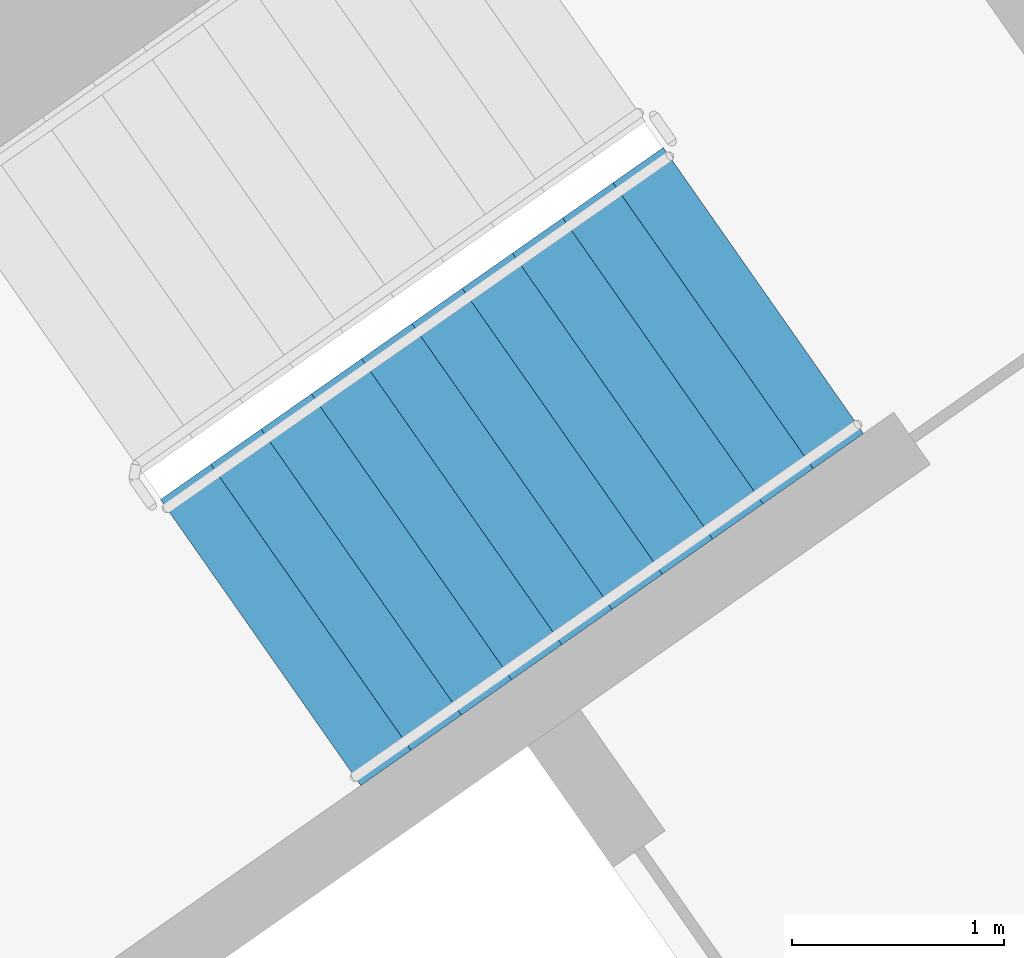
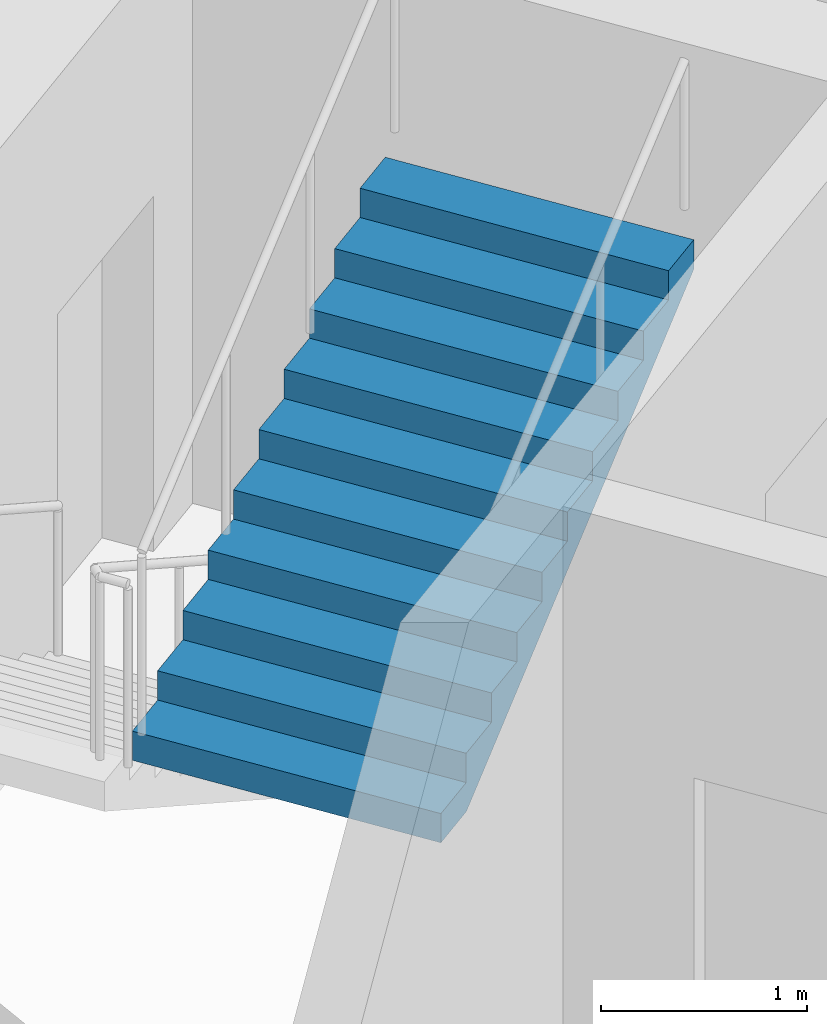
# One storey, part 15 of 28: 1 stair flight, 1 element without a shape of its own.
"""IFC4 building model written with IfcOpenShell, lengths in metres."""

from ifc_helpers import new_model, si_unit, direction, frame, origin, place, context, subcontext, project, spatial, faceted_brep, material, type_object, element, aggregate, save


model = new_model("IFC4")

# Units and contexts
model_context = context("Model", 3, precision=1e-05, world=origin(), true_north=direction((0.0, 1.0)))
body_context = subcontext(model_context, "Body", "Model", "MODEL_VIEW")
ifc_project = project(units=[si_unit("LENGTHUNIT", "METRE"), si_unit("AREAUNIT", "SQUARE_METRE"), si_unit("VOLUMEUNIT", "CUBIC_METRE"), si_unit("PLANEANGLEUNIT", "RADIAN"), si_unit("MASSUNIT", "GRAM", prefix="KILO")], contexts=[model_context])

# Site, building, storey
site_placement = place(None, origin())
site = spatial("IfcSite", under=ifc_project, at=site_placement, CompositionType="ELEMENT")
building_placement = place(site_placement, origin())
building = spatial("IfcBuilding", under=site, at=building_placement, Name="Qamariyya Broadcast Tower", CompositionType="ELEMENT")
storey_placement = place(building_placement, frame((0.0, 0.0, 226.5)))
storey = spatial("IfcBuildingStorey", under=building, at=storey_placement, Name="L54", CompositionType="ELEMENT", Elevation=226.5)

# Stair, stair flight
ifc_material = material(Name="Concrete C50/60", Category="concrete")
stair_type = type_object("IfcStairType", Name="Exit stair 22 risers of 173 mm", PredefinedType="HALF_TURN_STAIR", material=ifc_material)
stair_placement = place(storey_placement, origin())
stair = element("IfcStair", 1, at=stair_placement, inside=storey, type_object=stair_type, Name="L54 Stair E2", PredefinedType="HALF_TURN_STAIR")
stair_flight_type = type_object("IfcStairFlightType", Name="Exit stair flight 11 risers of 173 mm", PredefinedType="STRAIGHT", material=ifc_material)
stair_flight_placement = place(storey_placement, frame((39.215576171875, -50.822998046875, 1.89990234375), z_axis=(0.0, 0.0, 1.0), x_axis=(0.819152044289, 0.573576436351, 0.0)))
stair_flight = element("IfcStairFlight", 2, at=stair_flight_placement, type_object=stair_flight_type, Name="ST-E2 flight 2", NumberOfRisers=11, NumberOfTreads=10, PredefinedType="STRAIGHT", RiserHeight=0.172727273, TreadLength=0.29, context=body_context, shape_type="Brep", body=[
    faceted_brep([(0.0, 0.824951171875, 0.0), (0.0, 0.824951171875, 0.172607421875), (0.2900390625, 0.824951171875, 0.172607421875), (0.2900390625, 0.824951171875, 0.345458984375), (0.580078125, 0.824951171875, 0.345458984375), (0.580078125, 0.824951171875, 0.51806640625), (0.8701171875, 0.824951171875, 0.51806640625), (0.8701171875, 0.824951171875, 0.69091796875), (1.159912109375, 0.824951171875, 0.69091796875), (1.159912109375, 0.824951171875, 0.863525390625), (1.449951171875, 0.824951171875, 0.863525390625), (1.449951171875, 0.824951171875, 1.036376953125), (1.739990234375, 0.824951171875, 1.036376953125), (1.739990234375, 0.824951171875, 1.208984375), (2.030029296875, 0.824951171875, 1.208984375), (2.030029296875, 0.824951171875, 1.3818359375), (2.320068359375, 0.824951171875, 1.3818359375), (2.320068359375, 0.824951171875, 1.554443359375), (2.610107421875, 0.824951171875, 1.554443359375), (2.610107421875, 0.824951171875, 1.727294921875), (2.89990234375, 0.824951171875, 1.727294921875), (2.89990234375, 0.824951171875, 1.552734375), (0.29296875, 0.824951171875, 0.0), (0.29296875, -0.824951171875, 0.0), (2.89990234375, -0.824951171875, 1.552734375), (2.89990234375, -0.824951171875, 1.727294921875), (2.610107421875, -0.824951171875, 1.727294921875), (2.610107421875, -0.824951171875, 1.554443359375), (2.320068359375, -0.824951171875, 1.554443359375), (2.320068359375, -0.824951171875, 1.3818359375), (2.030029296875, -0.824951171875, 1.3818359375), (2.030029296875, -0.824951171875, 1.208984375), (1.739990234375, -0.824951171875, 1.208984375), (1.739990234375, -0.824951171875, 1.036376953125), (1.449951171875, -0.824951171875, 1.036376953125), (1.449951171875, -0.824951171875, 0.863525390625), (1.159912109375, -0.824951171875, 0.863525390625), (1.159912109375, -0.824951171875, 0.69091796875), (0.8701171875, -0.824951171875, 0.69091796875), (0.8701171875, -0.824951171875, 0.51806640625), (0.580078125, -0.824951171875, 0.51806640625), (0.580078125, -0.824951171875, 0.345458984375), (0.2900390625, -0.824951171875, 0.345458984375), (0.2900390625, -0.824951171875, 0.172607421875), (0.0, -0.824951171875, 0.172607421875), (0.0, -0.824951171875, 0.0), (0.0, 0.10009765625, 0.0), (0.0, 0.086669921875, 0.0), (0.0, 0.0732421875, 0.0), (0.0, 0.06005859375, 0.0), (0.0, 0.046630859375, 0.0), (0.0, 0.033447265625, 0.0), (0.0, 0.02001953125, 0.0), (0.0, 0.006591796875, 0.0), (0.0, -0.006591796875, 0.0), (0.0, -0.02001953125, 0.0), (0.0, -0.033447265625, 0.0), (0.0, -0.046630859375, 0.0), (0.0, -0.06005859375, 0.0), (0.0, -0.0732421875, 0.0), (0.0, -0.086669921875, 0.0), (0.0, -0.10009765625, 0.0), (0.0, -0.10009765625, 0.172607421875), (0.0, -0.086669921875, 0.172607421875), (0.0, -0.0732421875, 0.172607421875), (0.0, -0.06005859375, 0.172607421875), (0.0, -0.046630859375, 0.172607421875), (0.0, -0.033447265625, 0.172607421875), (0.0, -0.02001953125, 0.172607421875), (0.0, -0.006591796875, 0.172607421875), (0.0, 0.006591796875, 0.172607421875), (0.0, 0.02001953125, 0.172607421875), (0.0, 0.033447265625, 0.172607421875), (0.0, 0.046630859375, 0.172607421875), (0.0, 0.06005859375, 0.172607421875), (0.0, 0.0732421875, 0.172607421875), (0.0, 0.086669921875, 0.172607421875), (0.0, 0.10009765625, 0.172607421875), (0.2900390625, -0.10009765625, 0.172607421875), (0.2900390625, -0.086669921875, 0.172607421875), (0.2900390625, -0.0732421875, 0.172607421875), (0.2900390625, -0.06005859375, 0.172607421875), (0.2900390625, -0.046630859375, 0.172607421875), (0.2900390625, -0.033447265625, 0.172607421875), (0.2900390625, -0.02001953125, 0.172607421875), (0.2900390625, -0.006591796875, 0.172607421875), (0.2900390625, 0.006591796875, 0.172607421875), (0.2900390625, 0.02001953125, 0.172607421875), (0.2900390625, 0.033447265625, 0.172607421875), (0.2900390625, 0.046630859375, 0.172607421875), (0.2900390625, 0.06005859375, 0.172607421875), (0.2900390625, 0.0732421875, 0.172607421875), (0.2900390625, 0.086669921875, 0.172607421875), (0.2900390625, 0.10009765625, 0.172607421875), (0.2900390625, -0.10009765625, 0.345458984375), (0.2900390625, -0.086669921875, 0.345458984375), (0.2900390625, -0.0732421875, 0.345458984375), (0.2900390625, -0.06005859375, 0.345458984375), (0.2900390625, -0.046630859375, 0.345458984375), (0.2900390625, -0.033447265625, 0.345458984375), (0.2900390625, -0.02001953125, 0.345458984375), (0.2900390625, -0.006591796875, 0.345458984375), (0.2900390625, 0.006591796875, 0.345458984375), (0.2900390625, 0.02001953125, 0.345458984375), (0.2900390625, 0.033447265625, 0.345458984375), (0.2900390625, 0.046630859375, 0.345458984375), (0.2900390625, 0.06005859375, 0.345458984375), (0.2900390625, 0.0732421875, 0.345458984375), (0.2900390625, 0.086669921875, 0.345458984375), (0.2900390625, 0.10009765625, 0.345458984375), (0.580078125, -0.10009765625, 0.345458984375), (0.580078125, -0.086669921875, 0.345458984375), (0.580078125, -0.0732421875, 0.345458984375), (0.580078125, -0.06005859375, 0.345458984375), (0.580078125, -0.046630859375, 0.345458984375), (0.580078125, -0.033447265625, 0.345458984375), (0.580078125, -0.02001953125, 0.345458984375), (0.580078125, -0.006591796875, 0.345458984375), (0.580078125, 0.006591796875, 0.345458984375), (0.580078125, 0.02001953125, 0.345458984375), (0.580078125, 0.033447265625, 0.345458984375), (0.580078125, 0.046630859375, 0.345458984375), (0.580078125, 0.06005859375, 0.345458984375), (0.580078125, 0.0732421875, 0.345458984375), (0.580078125, 0.086669921875, 0.345458984375), (0.580078125, 0.10009765625, 0.345458984375), (0.580078125, -0.10009765625, 0.51806640625), (0.580078125, -0.086669921875, 0.51806640625), (0.580078125, -0.0732421875, 0.51806640625), (0.580078125, -0.06005859375, 0.51806640625), (0.580078125, -0.046630859375, 0.51806640625), (0.580078125, -0.033447265625, 0.51806640625), (0.580078125, -0.02001953125, 0.51806640625), (0.580078125, -0.006591796875, 0.51806640625), (0.580078125, 0.006591796875, 0.51806640625), (0.580078125, 0.02001953125, 0.51806640625), (0.580078125, 0.033447265625, 0.51806640625), (0.580078125, 0.046630859375, 0.51806640625), (0.580078125, 0.06005859375, 0.51806640625), (0.580078125, 0.0732421875, 0.51806640625), (0.580078125, 0.086669921875, 0.51806640625), (0.580078125, 0.10009765625, 0.51806640625), (0.8701171875, -0.10009765625, 0.51806640625), (0.8701171875, -0.086669921875, 0.51806640625), (0.8701171875, -0.0732421875, 0.51806640625), (0.8701171875, -0.06005859375, 0.51806640625), (0.8701171875, -0.046630859375, 0.51806640625), (0.8701171875, -0.033447265625, 0.51806640625), (0.8701171875, -0.02001953125, 0.51806640625), (0.8701171875, -0.006591796875, 0.51806640625), (0.8701171875, 0.006591796875, 0.51806640625), (0.8701171875, 0.02001953125, 0.51806640625), (0.8701171875, 0.033447265625, 0.51806640625), (0.8701171875, 0.046630859375, 0.51806640625), (0.8701171875, 0.06005859375, 0.51806640625), (0.8701171875, 0.0732421875, 0.51806640625), (0.8701171875, 0.086669921875, 0.51806640625), (0.8701171875, 0.10009765625, 0.51806640625), (0.8701171875, -0.10009765625, 0.69091796875), (0.8701171875, -0.086669921875, 0.69091796875), (0.8701171875, -0.0732421875, 0.69091796875), (0.8701171875, -0.06005859375, 0.69091796875), (0.8701171875, -0.046630859375, 0.69091796875), (0.8701171875, -0.033447265625, 0.69091796875), (0.8701171875, -0.02001953125, 0.69091796875), (0.8701171875, -0.006591796875, 0.69091796875), (0.8701171875, 0.006591796875, 0.69091796875), (0.8701171875, 0.02001953125, 0.69091796875), (0.8701171875, 0.033447265625, 0.69091796875), (0.8701171875, 0.046630859375, 0.69091796875), (0.8701171875, 0.06005859375, 0.69091796875), (0.8701171875, 0.0732421875, 0.69091796875), (0.8701171875, 0.086669921875, 0.69091796875), (0.8701171875, 0.10009765625, 0.69091796875), (1.159912109375, -0.10009765625, 0.69091796875), (1.159912109375, -0.086669921875, 0.69091796875), (1.159912109375, -0.0732421875, 0.69091796875), (1.159912109375, -0.06005859375, 0.69091796875), (1.159912109375, -0.046630859375, 0.69091796875), (1.159912109375, -0.033447265625, 0.69091796875), (1.159912109375, -0.02001953125, 0.69091796875), (1.159912109375, -0.006591796875, 0.69091796875), (1.159912109375, 0.006591796875, 0.69091796875), (1.159912109375, 0.02001953125, 0.69091796875), (1.159912109375, 0.033447265625, 0.69091796875), (1.159912109375, 0.046630859375, 0.69091796875), (1.159912109375, 0.06005859375, 0.69091796875), (1.159912109375, 0.0732421875, 0.69091796875), (1.159912109375, 0.086669921875, 0.69091796875), (1.159912109375, 0.10009765625, 0.69091796875), (1.159912109375, -0.10009765625, 0.863525390625), (1.159912109375, -0.086669921875, 0.863525390625), (1.159912109375, -0.0732421875, 0.863525390625), (1.159912109375, -0.06005859375, 0.863525390625), (1.159912109375, -0.046630859375, 0.863525390625), (1.159912109375, -0.033447265625, 0.863525390625), (1.159912109375, -0.02001953125, 0.863525390625), (1.159912109375, -0.006591796875, 0.863525390625), (1.159912109375, 0.006591796875, 0.863525390625), (1.159912109375, 0.02001953125, 0.863525390625), (1.159912109375, 0.033447265625, 0.863525390625), (1.159912109375, 0.046630859375, 0.863525390625), (1.159912109375, 0.06005859375, 0.863525390625), (1.159912109375, 0.0732421875, 0.863525390625), (1.159912109375, 0.086669921875, 0.863525390625), (1.159912109375, 0.10009765625, 0.863525390625), (1.449951171875, -0.10009765625, 0.863525390625), (1.449951171875, -0.086669921875, 0.863525390625), (1.449951171875, -0.0732421875, 0.863525390625), (1.449951171875, -0.06005859375, 0.863525390625), (1.449951171875, -0.046630859375, 0.863525390625), (1.449951171875, -0.033447265625, 0.863525390625), (1.449951171875, -0.02001953125, 0.863525390625), (1.449951171875, -0.006591796875, 0.863525390625), (1.449951171875, 0.006591796875, 0.863525390625), (1.449951171875, 0.02001953125, 0.863525390625), (1.449951171875, 0.033447265625, 0.863525390625), (1.449951171875, 0.046630859375, 0.863525390625), (1.449951171875, 0.06005859375, 0.863525390625), (1.449951171875, 0.0732421875, 0.863525390625), (1.449951171875, 0.086669921875, 0.863525390625), (1.449951171875, 0.10009765625, 0.863525390625), (1.449951171875, -0.10009765625, 1.036376953125), (1.449951171875, -0.086669921875, 1.036376953125), (1.449951171875, -0.0732421875, 1.036376953125), (1.449951171875, -0.06005859375, 1.036376953125), (1.449951171875, -0.046630859375, 1.036376953125), (1.449951171875, -0.033447265625, 1.036376953125), (1.449951171875, -0.02001953125, 1.036376953125), (1.449951171875, -0.006591796875, 1.036376953125), (1.449951171875, 0.006591796875, 1.036376953125), (1.449951171875, 0.02001953125, 1.036376953125), (1.449951171875, 0.033447265625, 1.036376953125), (1.449951171875, 0.046630859375, 1.036376953125), (1.449951171875, 0.06005859375, 1.036376953125), (1.449951171875, 0.0732421875, 1.036376953125), (1.449951171875, 0.086669921875, 1.036376953125), (1.449951171875, 0.10009765625, 1.036376953125), (1.739990234375, -0.10009765625, 1.036376953125), (1.739990234375, -0.086669921875, 1.036376953125), (1.739990234375, -0.0732421875, 1.036376953125), (1.739990234375, -0.06005859375, 1.036376953125), (1.739990234375, -0.046630859375, 1.036376953125), (1.739990234375, -0.033447265625, 1.036376953125), (1.739990234375, -0.02001953125, 1.036376953125), (1.739990234375, -0.006591796875, 1.036376953125), (1.739990234375, 0.006591796875, 1.036376953125), (1.739990234375, 0.02001953125, 1.036376953125), (1.739990234375, 0.033447265625, 1.036376953125), (1.739990234375, 0.046630859375, 1.036376953125), (1.739990234375, 0.06005859375, 1.036376953125), (1.739990234375, 0.0732421875, 1.036376953125), (1.739990234375, 0.086669921875, 1.036376953125), (1.739990234375, 0.10009765625, 1.036376953125), (1.739990234375, -0.10009765625, 1.208984375), (1.739990234375, -0.086669921875, 1.208984375), (1.739990234375, -0.0732421875, 1.208984375), (1.739990234375, -0.06005859375, 1.208984375), (1.739990234375, -0.046630859375, 1.208984375), (1.739990234375, -0.033447265625, 1.208984375), (1.739990234375, -0.02001953125, 1.208984375), (1.739990234375, -0.006591796875, 1.208984375), (1.739990234375, 0.006591796875, 1.208984375), (1.739990234375, 0.02001953125, 1.208984375), (1.739990234375, 0.033447265625, 1.208984375), (1.739990234375, 0.046630859375, 1.208984375), (1.739990234375, 0.06005859375, 1.208984375), (1.739990234375, 0.0732421875, 1.208984375), (1.739990234375, 0.086669921875, 1.208984375), (1.739990234375, 0.10009765625, 1.208984375), (2.030029296875, -0.10009765625, 1.208984375), (2.030029296875, -0.086669921875, 1.208984375), (2.030029296875, -0.0732421875, 1.208984375), (2.030029296875, -0.06005859375, 1.208984375), (2.030029296875, -0.046630859375, 1.208984375), (2.030029296875, -0.033447265625, 1.208984375), (2.030029296875, -0.02001953125, 1.208984375), (2.030029296875, -0.006591796875, 1.208984375), (2.030029296875, 0.006591796875, 1.208984375), (2.030029296875, 0.02001953125, 1.208984375), (2.030029296875, 0.033447265625, 1.208984375), (2.030029296875, 0.046630859375, 1.208984375), (2.030029296875, 0.06005859375, 1.208984375), (2.030029296875, 0.0732421875, 1.208984375), (2.030029296875, 0.086669921875, 1.208984375), (2.030029296875, 0.10009765625, 1.208984375), (2.030029296875, -0.10009765625, 1.3818359375), (2.030029296875, -0.086669921875, 1.3818359375), (2.030029296875, -0.0732421875, 1.3818359375), (2.030029296875, -0.06005859375, 1.3818359375), (2.030029296875, -0.046630859375, 1.3818359375), (2.030029296875, -0.033447265625, 1.3818359375), (2.030029296875, -0.02001953125, 1.3818359375), (2.030029296875, -0.006591796875, 1.3818359375), (2.030029296875, 0.006591796875, 1.3818359375), (2.030029296875, 0.02001953125, 1.3818359375), (2.030029296875, 0.033447265625, 1.3818359375), (2.030029296875, 0.046630859375, 1.3818359375), (2.030029296875, 0.06005859375, 1.3818359375), (2.030029296875, 0.0732421875, 1.3818359375), (2.030029296875, 0.086669921875, 1.3818359375), (2.030029296875, 0.10009765625, 1.3818359375), (2.320068359375, -0.10009765625, 1.3818359375), (2.320068359375, -0.086669921875, 1.3818359375), (2.320068359375, -0.0732421875, 1.3818359375), (2.320068359375, -0.06005859375, 1.3818359375), (2.320068359375, -0.046630859375, 1.3818359375), (2.320068359375, -0.033447265625, 1.3818359375), (2.320068359375, -0.02001953125, 1.3818359375), (2.320068359375, -0.006591796875, 1.3818359375), (2.320068359375, 0.006591796875, 1.3818359375), (2.320068359375, 0.02001953125, 1.3818359375), (2.320068359375, 0.033447265625, 1.3818359375), (2.320068359375, 0.046630859375, 1.3818359375), (2.320068359375, 0.06005859375, 1.3818359375), (2.320068359375, 0.0732421875, 1.3818359375), (2.320068359375, 0.086669921875, 1.3818359375), (2.320068359375, 0.10009765625, 1.3818359375), (2.320068359375, -0.10009765625, 1.554443359375), (2.320068359375, -0.086669921875, 1.554443359375), (2.320068359375, -0.0732421875, 1.554443359375), (2.320068359375, -0.06005859375, 1.554443359375), (2.320068359375, -0.046630859375, 1.554443359375), (2.320068359375, -0.033447265625, 1.554443359375), (2.320068359375, -0.02001953125, 1.554443359375), (2.320068359375, -0.006591796875, 1.554443359375), (2.320068359375, 0.006591796875, 1.554443359375), (2.320068359375, 0.02001953125, 1.554443359375), (2.320068359375, 0.033447265625, 1.554443359375), (2.320068359375, 0.046630859375, 1.554443359375), (2.320068359375, 0.06005859375, 1.554443359375), (2.320068359375, 0.0732421875, 1.554443359375), (2.320068359375, 0.086669921875, 1.554443359375), (2.320068359375, 0.10009765625, 1.554443359375), (2.610107421875, -0.10009765625, 1.554443359375), (2.610107421875, -0.086669921875, 1.554443359375), (2.610107421875, -0.0732421875, 1.554443359375), (2.610107421875, -0.06005859375, 1.554443359375), (2.610107421875, -0.046630859375, 1.554443359375), (2.610107421875, -0.033447265625, 1.554443359375), (2.610107421875, -0.02001953125, 1.554443359375), (2.610107421875, -0.006591796875, 1.554443359375), (2.610107421875, 0.006591796875, 1.554443359375), (2.610107421875, 0.02001953125, 1.554443359375), (2.610107421875, 0.033447265625, 1.554443359375), (2.610107421875, 0.046630859375, 1.554443359375), (2.610107421875, 0.06005859375, 1.554443359375), (2.610107421875, 0.0732421875, 1.554443359375), (2.610107421875, 0.086669921875, 1.554443359375), (2.610107421875, 0.10009765625, 1.554443359375), (2.610107421875, -0.10009765625, 1.727294921875), (2.610107421875, -0.086669921875, 1.727294921875), (2.610107421875, -0.0732421875, 1.727294921875), (2.610107421875, -0.06005859375, 1.727294921875), (2.610107421875, -0.046630859375, 1.727294921875), (2.610107421875, -0.033447265625, 1.727294921875), (2.610107421875, -0.02001953125, 1.727294921875), (2.610107421875, -0.006591796875, 1.727294921875), (2.610107421875, 0.006591796875, 1.727294921875), (2.610107421875, 0.02001953125, 1.727294921875), (2.610107421875, 0.033447265625, 1.727294921875), (2.610107421875, 0.046630859375, 1.727294921875), (2.610107421875, 0.06005859375, 1.727294921875), (2.610107421875, 0.0732421875, 1.727294921875), (2.610107421875, 0.086669921875, 1.727294921875), (2.610107421875, 0.10009765625, 1.727294921875), (2.89990234375, -0.10009765625, 1.727294921875), (2.89990234375, -0.086669921875, 1.727294921875), (2.89990234375, -0.0732421875, 1.727294921875), (2.89990234375, -0.06005859375, 1.727294921875), (2.89990234375, -0.046630859375, 1.727294921875), (2.89990234375, -0.033447265625, 1.727294921875), (2.89990234375, -0.02001953125, 1.727294921875), (2.89990234375, -0.006591796875, 1.727294921875), (2.89990234375, 0.006591796875, 1.727294921875), (2.89990234375, 0.02001953125, 1.727294921875), (2.89990234375, 0.033447265625, 1.727294921875), (2.89990234375, 0.046630859375, 1.727294921875), (2.89990234375, 0.06005859375, 1.727294921875), (2.89990234375, 0.0732421875, 1.727294921875), (2.89990234375, 0.086669921875, 1.727294921875), (2.89990234375, 0.10009765625, 1.727294921875), (2.89990234375, -0.10009765625, 1.552734375), (2.89990234375, -0.086669921875, 1.552734375), (2.89990234375, -0.0732421875, 1.552734375), (2.89990234375, -0.06005859375, 1.552734375), (2.89990234375, -0.046630859375, 1.552734375), (2.89990234375, -0.033447265625, 1.552734375), (2.89990234375, -0.02001953125, 1.552734375), (2.89990234375, -0.006591796875, 1.552734375), (2.89990234375, 0.006591796875, 1.552734375), (2.89990234375, 0.02001953125, 1.552734375), (2.89990234375, 0.033447265625, 1.552734375), (2.89990234375, 0.046630859375, 1.552734375), (2.89990234375, 0.06005859375, 1.552734375), (2.89990234375, 0.0732421875, 1.552734375), (2.89990234375, 0.086669921875, 1.552734375), (2.89990234375, 0.10009765625, 1.552734375), (0.29296875, -0.10009765625, 0.0), (0.29296875, -0.086669921875, 0.0), (0.29296875, -0.0732421875, 0.0), (0.29296875, -0.06005859375, 0.0), (0.29296875, -0.046630859375, 0.0), (0.29296875, -0.033447265625, 0.0), (0.29296875, -0.02001953125, 0.0), (0.29296875, -0.006591796875, 0.0), (0.29296875, 0.006591796875, 0.0), (0.29296875, 0.02001953125, 0.0), (0.29296875, 0.033447265625, 0.0), (0.29296875, 0.046630859375, 0.0), (0.29296875, 0.06005859375, 0.0), (0.29296875, 0.0732421875, 0.0), (0.29296875, 0.086669921875, 0.0), (0.29296875, 0.10009765625, 0.0)], [[[0, 1, 2, 3, 4, 5, 6, 7, 8, 9, 10, 11, 12, 13, 14, 15, 16, 17, 18, 19, 20, 21, 22]], [[23, 24, 25, 26, 27, 28, 29, 30, 31, 32, 33, 34, 35, 36, 37, 38, 39, 40, 41, 42, 43, 44, 45]], [[0, 46, 47, 48, 49, 50, 51, 52, 53, 54, 55, 56, 57, 58, 59, 60, 61, 45, 44, 62, 63, 64, 65, 66, 67, 68, 69, 70, 71, 72, 73, 74, 75, 76, 77, 1]], [[1, 77, 76, 75, 74, 73, 72, 71, 70, 69, 68, 67, 66, 65, 64, 63, 62, 44, 43, 78, 79, 80, 81, 82, 83, 84, 85, 86, 87, 88, 89, 90, 91, 92, 93, 2]], [[2, 93, 92, 91, 90, 89, 88, 87, 86, 85, 84, 83, 82, 81, 80, 79, 78, 43, 42, 94, 95, 96, 97, 98, 99, 100, 101, 102, 103, 104, 105, 106, 107, 108, 109, 3]], [[3, 109, 108, 107, 106, 105, 104, 103, 102, 101, 100, 99, 98, 97, 96, 95, 94, 42, 41, 110, 111, 112, 113, 114, 115, 116, 117, 118, 119, 120, 121, 122, 123, 124, 125, 4]], [[4, 125, 124, 123, 122, 121, 120, 119, 118, 117, 116, 115, 114, 113, 112, 111, 110, 41, 40, 126, 127, 128, 129, 130, 131, 132, 133, 134, 135, 136, 137, 138, 139, 140, 141, 5]], [[5, 141, 140, 139, 138, 137, 136, 135, 134, 133, 132, 131, 130, 129, 128, 127, 126, 40, 39, 142, 143, 144, 145, 146, 147, 148, 149, 150, 151, 152, 153, 154, 155, 156, 157, 6]], [[6, 157, 156, 155, 154, 153, 152, 151, 150, 149, 148, 147, 146, 145, 144, 143, 142, 39, 38, 158, 159, 160, 161, 162, 163, 164, 165, 166, 167, 168, 169, 170, 171, 172, 173, 7]], [[7, 173, 172, 171, 170, 169, 168, 167, 166, 165, 164, 163, 162, 161, 160, 159, 158, 38, 37, 174, 175, 176, 177, 178, 179, 180, 181, 182, 183, 184, 185, 186, 187, 188, 189, 8]], [[8, 189, 188, 187, 186, 185, 184, 183, 182, 181, 180, 179, 178, 177, 176, 175, 174, 37, 36, 190, 191, 192, 193, 194, 195, 196, 197, 198, 199, 200, 201, 202, 203, 204, 205, 9]], [[9, 205, 204, 203, 202, 201, 200, 199, 198, 197, 196, 195, 194, 193, 192, 191, 190, 36, 35, 206, 207, 208, 209, 210, 211, 212, 213, 214, 215, 216, 217, 218, 219, 220, 221, 10]], [[10, 221, 220, 219, 218, 217, 216, 215, 214, 213, 212, 211, 210, 209, 208, 207, 206, 35, 34, 222, 223, 224, 225, 226, 227, 228, 229, 230, 231, 232, 233, 234, 235, 236, 237, 11]], [[11, 237, 236, 235, 234, 233, 232, 231, 230, 229, 228, 227, 226, 225, 224, 223, 222, 34, 33, 238, 239, 240, 241, 242, 243, 244, 245, 246, 247, 248, 249, 250, 251, 252, 253, 12]], [[12, 253, 252, 251, 250, 249, 248, 247, 246, 245, 244, 243, 242, 241, 240, 239, 238, 33, 32, 254, 255, 256, 257, 258, 259, 260, 261, 262, 263, 264, 265, 266, 267, 268, 269, 13]], [[13, 269, 268, 267, 266, 265, 264, 263, 262, 261, 260, 259, 258, 257, 256, 255, 254, 32, 31, 270, 271, 272, 273, 274, 275, 276, 277, 278, 279, 280, 281, 282, 283, 284, 285, 14]], [[14, 285, 284, 283, 282, 281, 280, 279, 278, 277, 276, 275, 274, 273, 272, 271, 270, 31, 30, 286, 287, 288, 289, 290, 291, 292, 293, 294, 295, 296, 297, 298, 299, 300, 301, 15]], [[15, 301, 300, 299, 298, 297, 296, 295, 294, 293, 292, 291, 290, 289, 288, 287, 286, 30, 29, 302, 303, 304, 305, 306, 307, 308, 309, 310, 311, 312, 313, 314, 315, 316, 317, 16]], [[16, 317, 316, 315, 314, 313, 312, 311, 310, 309, 308, 307, 306, 305, 304, 303, 302, 29, 28, 318, 319, 320, 321, 322, 323, 324, 325, 326, 327, 328, 329, 330, 331, 332, 333, 17]], [[17, 333, 332, 331, 330, 329, 328, 327, 326, 325, 324, 323, 322, 321, 320, 319, 318, 28, 27, 334, 335, 336, 337, 338, 339, 340, 341, 342, 343, 344, 345, 346, 347, 348, 349, 18]], [[18, 349, 348, 347, 346, 345, 344, 343, 342, 341, 340, 339, 338, 337, 336, 335, 334, 27, 26, 350, 351, 352, 353, 354, 355, 356, 357, 358, 359, 360, 361, 362, 363, 364, 365, 19]], [[19, 365, 364, 363, 362, 361, 360, 359, 358, 357, 356, 355, 354, 353, 352, 351, 350, 26, 25, 366, 367, 368, 369, 370, 371, 372, 373, 374, 375, 376, 377, 378, 379, 380, 381, 20]], [[20, 381, 380, 379, 378, 377, 376, 375, 374, 373, 372, 371, 370, 369, 368, 367, 366, 25, 24, 382, 383, 384, 385, 386, 387, 388, 389, 390, 391, 392, 393, 394, 395, 396, 397, 21]], [[21, 397, 396, 395, 394, 393, 392, 391, 390, 389, 388, 387, 386, 385, 384, 383, 382, 24, 23, 398, 399, 400, 401, 402, 403, 404, 405, 406, 407, 408, 409, 410, 411, 412, 413, 22]], [[22, 413, 412, 411, 410, 409, 408, 407, 406, 405, 404, 403, 402, 401, 400, 399, 398, 23, 45, 61, 60, 59, 58, 57, 56, 55, 54, 53, 52, 51, 50, 49, 48, 47, 46, 0]]]),
])
aggregate(stair, [stair_flight])

save(model, "model.ifc")
